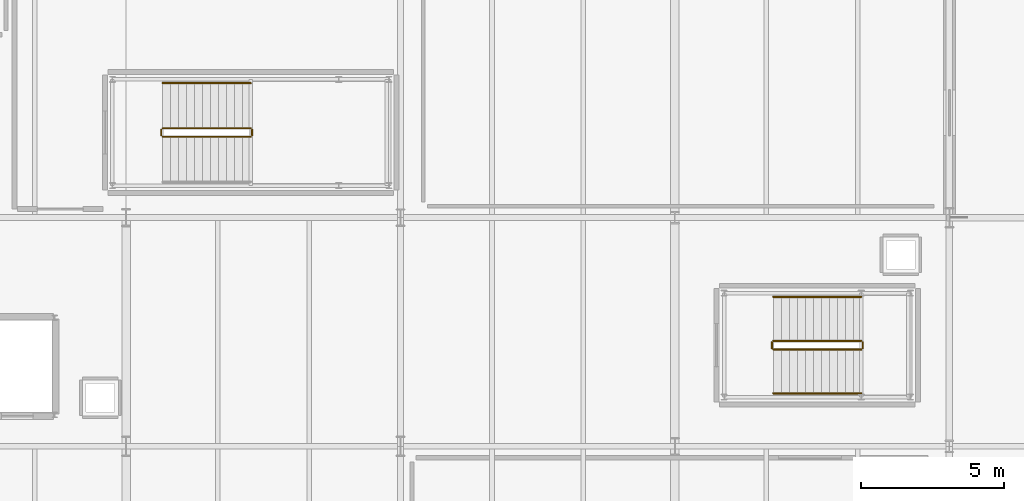
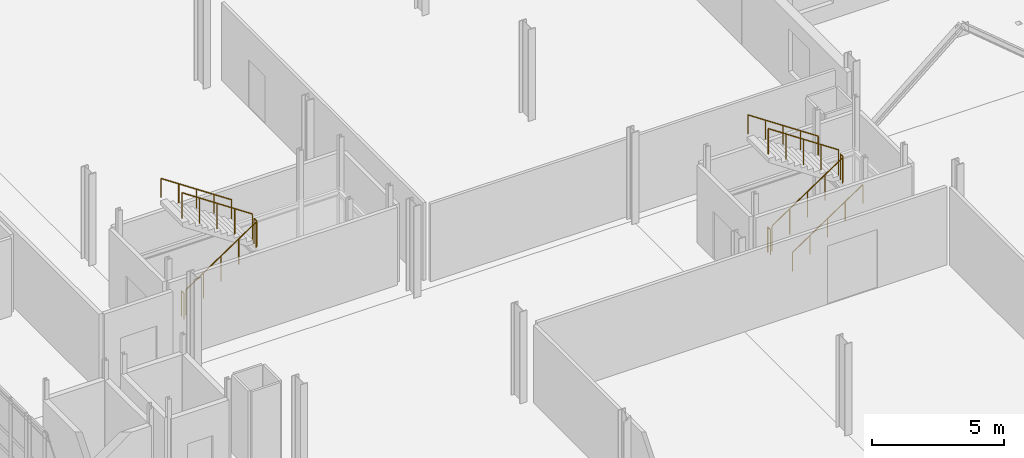
# One storey, part 71 of 78: 11 railings.
"""IFC4 building model written with IfcOpenShell, lengths in metres."""

from ifc_helpers import new_model, si_unit, direction, frame, origin, origin_2d, place, context, subcontext, project, spatial, circle, extrude, material, type_object, element, save


model = new_model("IFC4")

# Units and contexts
model_context = context("Model", 3, precision=1e-05, world=origin(), true_north=direction((0.0, 1.0)))
body_context = subcontext(model_context, "Body", "Model", "MODEL_VIEW")
ifc_project = project(units=[si_unit("LENGTHUNIT", "METRE"), si_unit("AREAUNIT", "SQUARE_METRE"), si_unit("VOLUMEUNIT", "CUBIC_METRE"), si_unit("PLANEANGLEUNIT", "RADIAN"), si_unit("MASSUNIT", "GRAM", prefix="KILO")], contexts=[model_context])

# Site, building, storey
site_placement = place(None, origin())
site = spatial("IfcSite", under=ifc_project, at=site_placement, CompositionType="ELEMENT")
building_placement = place(site_placement, origin())
building = spatial("IfcBuilding", under=site, at=building_placement, Name="Alderhovde Museum", CompositionType="ELEMENT")
storey_placement = place(building_placement, origin())
storey = spatial("IfcBuildingStorey", under=building, at=storey_placement, Name="L00", CompositionType="ELEMENT", Elevation=0.0)

# Railings
ifc_material_1 = material(Name="Painted Steel S355 Guardrail", Category="steel")
railing_type_1 = type_object("IfcRailingType", Name="RL-GUARD-1200", PredefinedType="GUARDRAIL", material=ifc_material_1)
railing_1_placement = place(storey_placement, frame((30.080078125, 82.830078125, 0.1875)))
element("IfcRailing", 1, at=railing_1_placement, inside=storey, type_object=railing_type_1, Name="L00 ST2 stair guard 1", PredefinedType="GUARDRAIL", context=body_context, shape_type="SweptSolid", body=[
    extrude(circle(Radius=0.02392578125, at=origin_2d()), frame((0.0, 0.0, 1.17578125), z_axis=(0.830893310487, 0.0, 0.556431762742), x_axis=(0.0, 1.0, 0.0)), (0.0, 0.0, 1.0), 3.70654296875),
    extrude(circle(Radius=0.02099609375, at=origin_2d()), origin(), (0.0, 0.0, 1.0), 1.15185546875),
    extrude(circle(Radius=0.02099609375, at=origin_2d()), frame((0.77001953125, 0.0, 0.515625)), (0.0, 0.0, 1.0), 1.15185546875),
    extrude(circle(Radius=0.02099609375, at=origin_2d()), frame((1.5400390625, 0.0, 1.03125)), (0.0, 0.0, 1.0), 1.15185546875),
    extrude(circle(Radius=0.02099609375, at=origin_2d()), frame((2.309814453125, 0.0, 1.546875)), (0.0, 0.0, 1.0), 1.15185546875),
    extrude(circle(Radius=0.02099609375, at=origin_2d()), frame((3.079833984375, 0.0, 2.0625)), (0.0, 0.0, 1.0), 1.15185546875),
])
railing_2_placement = place(storey_placement, frame((33.2099609375, 82.8798828125, 2.25)))
element("IfcRailing", 2, at=railing_2_placement, inside=storey, type_object=railing_type_1, Name="L00 ST2 stair guard 2", PredefinedType="GUARDRAIL", context=body_context, shape_type="SweptSolid", body=[
    extrude(circle(Radius=0.02392578125, at=origin_2d()), frame((0.0, 0.0, 1.17578125), z_axis=(0.0, 1.0, 0.0), x_axis=(-1.0, 0.0, 0.0)), (0.0, 0.0, 1.0), 0.2001953125),
    extrude(circle(Radius=0.02099609375, at=origin_2d()), origin(), (0.0, 0.0, 1.0), 1.15185546875),
    extrude(circle(Radius=0.02099609375, at=origin_2d()), frame((0.0, 0.2001953125, 0.0)), (0.0, 0.0, 1.0), 1.15185546875),
])
railing_3_placement = place(storey_placement, frame((33.159912109375, 83.1298828125, 2.4375)))
element("IfcRailing", 3, at=railing_3_placement, inside=storey, type_object=railing_type_1, Name="L00 ST2 stair guard 3", PredefinedType="GUARDRAIL", context=body_context, shape_type="SweptSolid", body=[
    extrude(circle(Radius=0.02392578125, at=origin_2d()), frame((0.0, 0.0, 1.17578125), z_axis=(-0.830893310487, 0.0, 0.556431762742), x_axis=(0.0, -1.0, 0.0)), (0.0, 0.0, 1.0), 3.70654296875),
    extrude(circle(Radius=0.02099609375, at=origin_2d()), origin(), (0.0, 0.0, 1.0), 1.15185546875),
    extrude(circle(Radius=0.02099609375, at=origin_2d()), frame((-0.77001953125, 0.0, 0.515625)), (0.0, 0.0, 1.0), 1.15185546875),
    extrude(circle(Radius=0.02099609375, at=origin_2d()), frame((-1.5400390625, 0.0, 1.03125)), (0.0, 0.0, 1.0), 1.15185546875),
    extrude(circle(Radius=0.02099609375, at=origin_2d()), frame((-2.309814453125, 0.0, 1.546875)), (0.0, 0.0, 1.0), 1.15185546875),
    extrude(circle(Radius=0.02099609375, at=origin_2d()), frame((-3.079833984375, 0.0, 2.0625)), (0.0, 0.0, 1.0), 1.15185546875),
])
railing_4_placement = place(storey_placement, frame((30.030029296875, 82.8798828125, 0.0)))
element("IfcRailing", 4, at=railing_4_placement, inside=storey, type_object=railing_type_1, Name="L00 ST2 stair guard 4", PredefinedType="GUARDRAIL", context=body_context, shape_type="SweptSolid", body=[
    extrude(circle(Radius=0.02392578125, at=origin_2d()), frame((0.0, 0.0, 1.17578125), z_axis=(0.0, 1.0, 0.0), x_axis=(-1.0, 0.0, 0.0)), (0.0, 0.0, 1.0), 0.2001953125),
    extrude(circle(Radius=0.02099609375, at=origin_2d()), origin(), (0.0, 0.0, 1.0), 1.15185546875),
    extrude(circle(Radius=0.02099609375, at=origin_2d()), frame((0.0, 0.2001953125, 0.0)), (0.0, 0.0, 1.0), 1.15185546875),
])
railing_5_placement = place(storey_placement, frame((51.43994140625, 75.389892578125, 0.1875)))
element("IfcRailing", 5, at=railing_5_placement, inside=storey, type_object=railing_type_1, Name="L00 ST6 stair guard 1", PredefinedType="GUARDRAIL", context=body_context, shape_type="SweptSolid", body=[
    extrude(circle(Radius=0.02392578125, at=origin_2d()), frame((0.0, 0.0, 1.17578125), z_axis=(0.830913701846, 0.0, 0.55640131208), x_axis=(0.0, 1.0, 0.0)), (0.0, 0.0, 1.0), 3.706787109375),
    extrude(circle(Radius=0.02099609375, at=origin_2d()), origin(), (0.0, 0.0, 1.0), 1.15185546875),
    extrude(circle(Radius=0.02099609375, at=origin_2d()), frame((0.77001953125, 0.0, 0.515625)), (0.0, 0.0, 1.0), 1.15185546875),
    extrude(circle(Radius=0.02099609375, at=origin_2d()), frame((1.5400390625, 0.0, 1.03125)), (0.0, 0.0, 1.0), 1.15185546875),
    extrude(circle(Radius=0.02099609375, at=origin_2d()), frame((2.31005859375, 0.0, 1.546875)), (0.0, 0.0, 1.0), 1.15185546875),
    extrude(circle(Radius=0.02099609375, at=origin_2d()), frame((3.080078125, 0.0, 2.0625)), (0.0, 0.0, 1.0), 1.15185546875),
])
railing_6_placement = place(storey_placement, frame((54.570068359375, 75.43994140625, 2.25)))
element("IfcRailing", 6, at=railing_6_placement, inside=storey, type_object=railing_type_1, Name="L00 ST6 stair guard 2", PredefinedType="GUARDRAIL", context=body_context, shape_type="SweptSolid", body=[
    extrude(circle(Radius=0.02392578125, at=origin_2d()), frame((0.0, 0.0, 1.17578125), z_axis=(0.0, 1.0, 0.0), x_axis=(-1.0, 0.0, 0.0)), (0.0, 0.0, 1.0), 0.199951171875),
    extrude(circle(Radius=0.02099609375, at=origin_2d()), origin(), (0.0, 0.0, 1.0), 1.15185546875),
    extrude(circle(Radius=0.02099609375, at=origin_2d()), frame((0.0, 0.199951171875, 0.0)), (0.0, 0.0, 1.0), 1.15185546875),
])
railing_7_placement = place(storey_placement, frame((54.52001953125, 75.68994140625, 2.4375)))
element("IfcRailing", 7, at=railing_7_placement, inside=storey, type_object=railing_type_1, Name="L00 ST6 stair guard 3", PredefinedType="GUARDRAIL", context=body_context, shape_type="SweptSolid", body=[
    extrude(circle(Radius=0.02392578125, at=origin_2d()), frame((0.0, 0.0, 1.17578125), z_axis=(-0.830913701846, 0.0, 0.55640131208), x_axis=(0.0, -1.0, 0.0)), (0.0, 0.0, 1.0), 3.706787109375),
    extrude(circle(Radius=0.02099609375, at=origin_2d()), origin(), (0.0, 0.0, 1.0), 1.15185546875),
    extrude(circle(Radius=0.02099609375, at=origin_2d()), frame((-0.77001953125, 0.0, 0.515625)), (0.0, 0.0, 1.0), 1.15185546875),
    extrude(circle(Radius=0.02099609375, at=origin_2d()), frame((-1.5400390625, 0.0, 1.03125)), (0.0, 0.0, 1.0), 1.15185546875),
    extrude(circle(Radius=0.02099609375, at=origin_2d()), frame((-2.31005859375, 0.0, 1.546875)), (0.0, 0.0, 1.0), 1.15185546875),
    extrude(circle(Radius=0.02099609375, at=origin_2d()), frame((-3.080078125, 0.0, 2.0625)), (0.0, 0.0, 1.0), 1.15185546875),
])
railing_8_placement = place(storey_placement, frame((51.389892578125, 75.43994140625, 0.0)))
element("IfcRailing", 8, at=railing_8_placement, inside=storey, type_object=railing_type_1, Name="L00 ST6 stair guard 4", PredefinedType="GUARDRAIL", context=body_context, shape_type="SweptSolid", body=[
    extrude(circle(Radius=0.02392578125, at=origin_2d()), frame((0.0, 0.0, 1.17578125), z_axis=(0.0, 1.0, 0.0), x_axis=(-1.0, 0.0, 0.0)), (0.0, 0.0, 1.0), 0.199951171875),
    extrude(circle(Radius=0.02099609375, at=origin_2d()), origin(), (0.0, 0.0, 1.0), 1.15185546875),
    extrude(circle(Radius=0.02099609375, at=origin_2d()), frame((0.0, 0.199951171875, 0.0)), (0.0, 0.0, 1.0), 1.15185546875),
])
ifc_material_2 = material(Name="Brushed Stainless Steel Handrail", Category="steel")
railing_type_2 = type_object("IfcRailingType", Name="RL-HANDRAIL-900", PredefinedType="HANDRAIL", material=ifc_material_2)
railing_9_placement = place(storey_placement, frame((33.159912109375, 84.7099609375, 2.4375)))
element("IfcRailing", 9, at=railing_9_placement, inside=storey, type_object=railing_type_2, Name="L00 ST2 stair handrail 2", PredefinedType="HANDRAIL", context=body_context, shape_type="SweptSolid", body=[
    extrude(circle(Radius=0.02392578125, at=origin_2d()), frame((0.0, 0.0, 0.8759765625), z_axis=(-0.830893310487, 0.0, 0.556431762742), x_axis=(0.0, -1.0, 0.0)), (0.0, 0.0, 1.0), 3.70654296875),
    extrude(circle(Radius=0.02099609375, at=origin_2d()), origin(), (0.0, 0.0, 1.0), 0.851806640625),
    extrude(circle(Radius=0.02099609375, at=origin_2d()), frame((-0.77001953125, 0.0, 0.515625)), (0.0, 0.0, 1.0), 0.851806640625),
    extrude(circle(Radius=0.02099609375, at=origin_2d()), frame((-1.5400390625, 0.0, 1.03125)), (0.0, 0.0, 1.0), 0.851806640625),
    extrude(circle(Radius=0.02099609375, at=origin_2d()), frame((-2.309814453125, 0.0, 1.546875)), (0.0, 0.0, 1.0), 0.851806640625),
    extrude(circle(Radius=0.02099609375, at=origin_2d()), frame((-3.079833984375, 0.0, 2.0625)), (0.0, 0.0, 1.0), 0.851806640625),
])
railing_10_placement = place(storey_placement, frame((51.43994140625, 73.85009765625, 0.1875)))
element("IfcRailing", 10, at=railing_10_placement, inside=storey, type_object=railing_type_2, Name="L00 ST6 stair handrail 1", PredefinedType="HANDRAIL", context=body_context, shape_type="SweptSolid", body=[
    extrude(circle(Radius=0.02392578125, at=origin_2d()), frame((0.0, 0.0, 0.8759765625), z_axis=(0.830913701846, 0.0, 0.55640131208), x_axis=(0.0, 1.0, 0.0)), (0.0, 0.0, 1.0), 3.706787109375),
    extrude(circle(Radius=0.02099609375, at=origin_2d()), origin(), (0.0, 0.0, 1.0), 0.851806640625),
    extrude(circle(Radius=0.02099609375, at=origin_2d()), frame((0.77001953125, 0.0, 0.515625)), (0.0, 0.0, 1.0), 0.851806640625),
    extrude(circle(Radius=0.02099609375, at=origin_2d()), frame((1.5400390625, 0.0, 1.03125)), (0.0, 0.0, 1.0), 0.851806640625),
    extrude(circle(Radius=0.02099609375, at=origin_2d()), frame((2.31005859375, 0.0, 1.546875)), (0.0, 0.0, 1.0), 0.851806640625),
    extrude(circle(Radius=0.02099609375, at=origin_2d()), frame((3.080078125, 0.0, 2.0625)), (0.0, 0.0, 1.0), 0.851806640625),
])
railing_11_placement = place(storey_placement, frame((54.52001953125, 77.22998046875, 2.4375)))
element("IfcRailing", 11, at=railing_11_placement, inside=storey, type_object=railing_type_2, Name="L00 ST6 stair handrail 2", PredefinedType="HANDRAIL", context=body_context, shape_type="SweptSolid", body=[
    extrude(circle(Radius=0.02392578125, at=origin_2d()), frame((0.0, 0.0, 0.8759765625), z_axis=(-0.830913701846, 0.0, 0.55640131208), x_axis=(0.0, -1.0, 0.0)), (0.0, 0.0, 1.0), 3.706787109375),
    extrude(circle(Radius=0.02099609375, at=origin_2d()), origin(), (0.0, 0.0, 1.0), 0.851806640625),
    extrude(circle(Radius=0.02099609375, at=origin_2d()), frame((-0.77001953125, 0.0, 0.515625)), (0.0, 0.0, 1.0), 0.851806640625),
    extrude(circle(Radius=0.02099609375, at=origin_2d()), frame((-1.5400390625, 0.0, 1.03125)), (0.0, 0.0, 1.0), 0.851806640625),
    extrude(circle(Radius=0.02099609375, at=origin_2d()), frame((-2.31005859375, 0.0, 1.546875)), (0.0, 0.0, 1.0), 0.851806640625),
    extrude(circle(Radius=0.02099609375, at=origin_2d()), frame((-3.080078125, 0.0, 2.0625)), (0.0, 0.0, 1.0), 0.851806640625),
])

save(model, "model.ifc")
